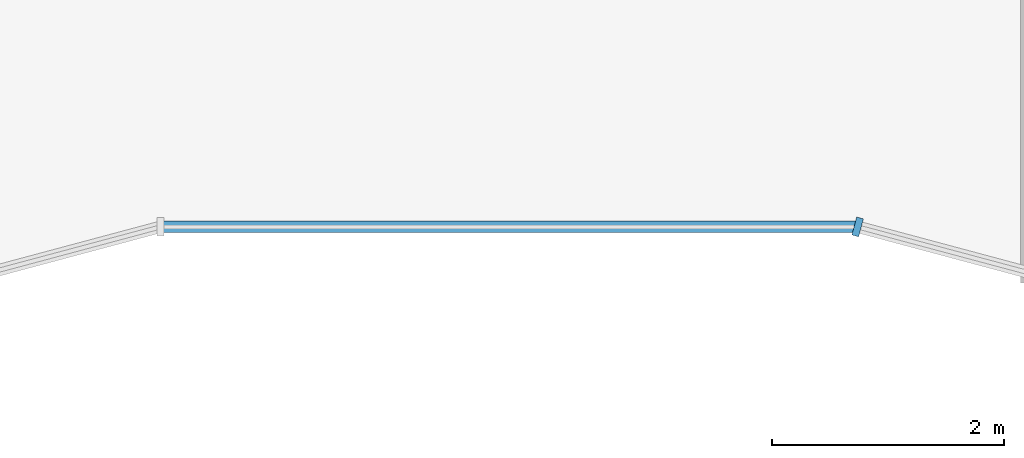
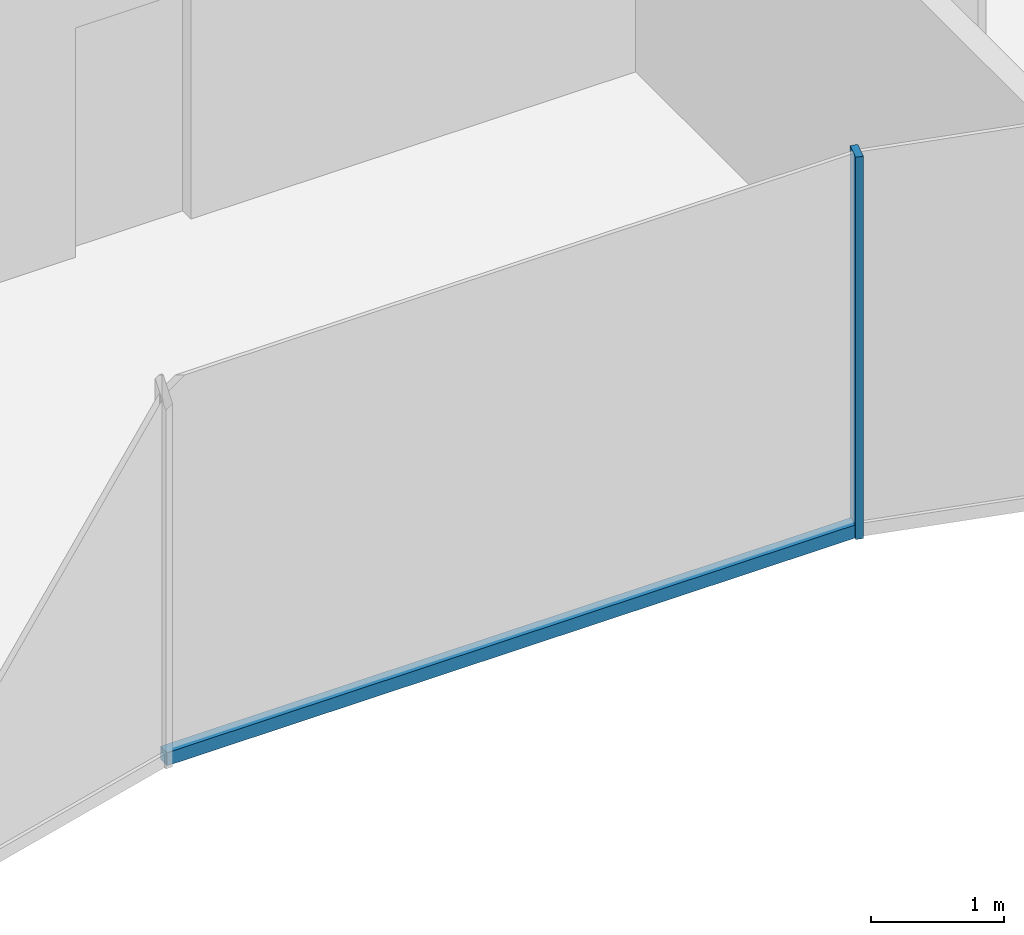
# One storey, part 3 of 15: 2 members, 2 elements without a shape of their own.
"""IFC4 building model written with IfcOpenShell, lengths in metres."""

from ifc_helpers import new_model, si_unit, direction, frame, origin, origin_2d, place, context, subcontext, project, spatial, rectangle, extrude, material, layer, layer_set, material_profile, profile_set, type_object, element, aggregate, save


model = new_model("IFC4")

# Units and contexts
model_context = context("Model", 3, precision=1e-05, world=origin(), true_north=direction((0.0, 1.0)))
body_context = subcontext(model_context, "Body", "Model", "MODEL_VIEW")
ifc_project = project(units=[si_unit("LENGTHUNIT", "METRE"), si_unit("AREAUNIT", "SQUARE_METRE"), si_unit("VOLUMEUNIT", "CUBIC_METRE"), si_unit("PLANEANGLEUNIT", "RADIAN"), si_unit("MASSUNIT", "GRAM", prefix="KILO")], contexts=[model_context])

# Site, building, storey
site_placement = place(None, origin())
site = spatial("IfcSite", under=ifc_project, at=site_placement, CompositionType="ELEMENT")
building_placement = place(site_placement, origin())
building = spatial("IfcBuilding", under=site, at=building_placement, Name="Plateau Cross Towers", CompositionType="ELEMENT")
storey_placement = place(building_placement, frame((0.0, 0.0, 170.89990234375)))
storey = spatial("IfcBuildingStorey", under=building, at=storey_placement, Name="L44", CompositionType="ELEMENT", Elevation=170.89990234375)

# Curtain wall, member
ifc_material_1 = material(Name="Dark low-iron glass", Category="glass")
ifc_layer = layer(ifc_material_1, 0.260009765625)
ifc_layer_set = layer_set([ifc_layer], Name="Dark low-iron glass")
curtain_wall_type = type_object("IfcCurtainWallType", Name="Curtain wall fluted unitised CW-A", PredefinedType="NOTDEFINED", material=ifc_layer_set)
curtain_wall_1_placement = place(storey_placement, origin())
curtain_wall_1 = element("IfcCurtainWall", 1, at=curtain_wall_1_placement, inside=storey, type_object=curtain_wall_type, Name="ENV/A/L44/A300_16", PredefinedType="NOTDEFINED")
ifc_material_2 = material(Name="Black anodised aluminium", Category="aluminium")
ifc_material_profile_1 = material_profile(ifc_material_2, rectangle(XDim=0.06005859375, YDim=0.159912109375, at=origin_2d()), Name="MULLION 60x160")
ifc_profile_set_1 = profile_set([ifc_material_profile_1], Name="Black anodised aluminium")
member_type_1 = type_object("IfcMemberType", Name="Mullion 60x160 fluted unitised", PredefinedType="MULLION", material=ifc_profile_set_1)
member_1_placement = place(storey_placement, frame((30.0, 1.60693359375, -0.25), z_axis=(0.0, 0.0, 1.0), x_axis=(0.965957983404, -0.258699003279, 0.0)))
member_1 = element("IfcMember", 2, at=member_1_placement, type_object=member_type_1, Name="CW-A mullion 1", PredefinedType="MULLION", context=body_context, shape_type="SweptSolid", body=[
    extrude(rectangle(XDim=0.06005859375, YDim=0.159912109375, at=origin_2d()), origin(), (0.0, 0.0, 1.0), 3.5),
])
aggregate(curtain_wall_1, [member_1])

curtain_wall_2_placement = place(storey_placement, origin())
curtain_wall_2 = element("IfcCurtainWall", 3, at=curtain_wall_2_placement, inside=storey, type_object=curtain_wall_type, Name="ENV/A/L44/A240_16", PredefinedType="NOTDEFINED")
ifc_material_profile_2 = material_profile(ifc_material_2, rectangle(XDim=0.10009765625, YDim=0.1201171875, at=origin_2d()), Name="TRANSOM 100x120")
ifc_profile_set_2 = profile_set([ifc_material_profile_2], Name="Black anodised aluminium")
member_type_2 = type_object("IfcMemberType", Name="Transom 100x120 fluted unitised", PredefinedType="USERDEFINED", material=ifc_profile_set_2)
member_2_placement = place(storey_placement, frame((24.0, 1.60693359375, -0.18994140625), z_axis=(1.0, 0.0, 0.0), x_axis=(0.0, 1.0, 0.0)))
member_2 = element("IfcMember", 4, at=member_2_placement, type_object=member_type_2, Name="CW-A transom", ObjectType="TRANSOM", PredefinedType="USERDEFINED", context=body_context, shape_type="SweptSolid", body=[
    extrude(rectangle(XDim=0.10009765625, YDim=0.1201171875, at=origin_2d()), origin(), (0.0, 0.0, 1.0), 6.0),
])
aggregate(curtain_wall_2, [member_2])

save(model, "model.ifc")
